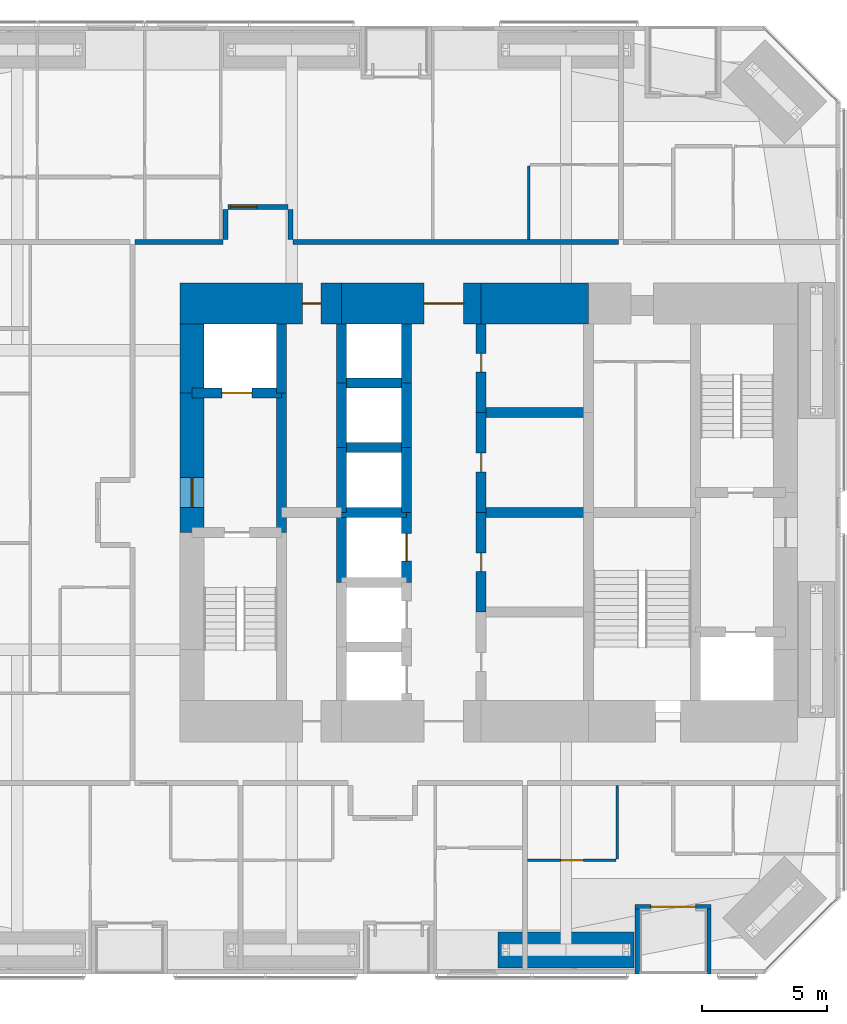
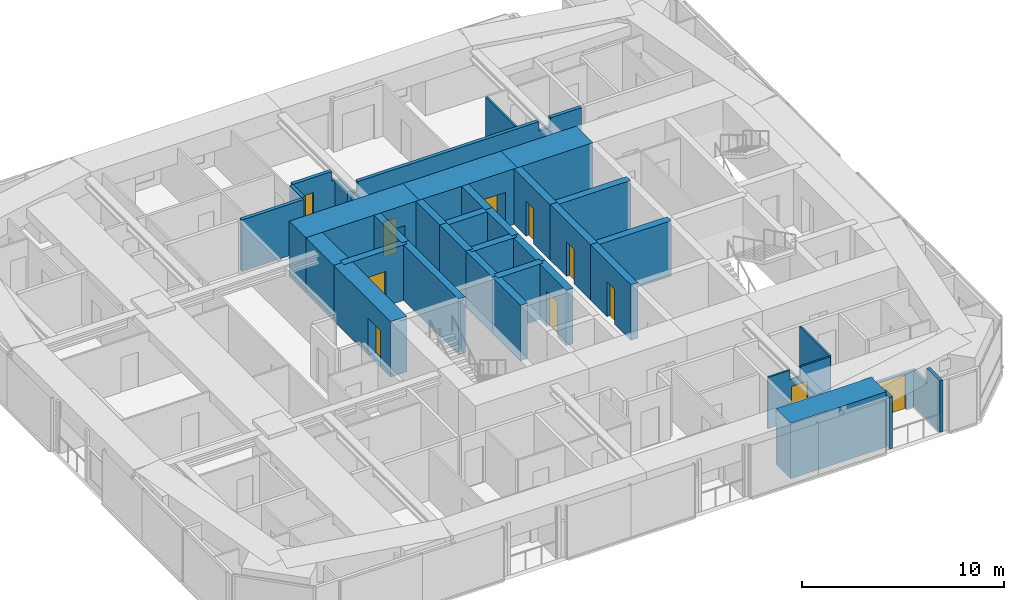
# One storey, part 19 of 23: 37 walls, 11 doors, 11 openings.
"""IFC4 building model written with IfcOpenShell, lengths in metres."""

import ifcopenshell
import ifcopenshell.guid

model = None  # the IFC model being written
_history = None  # IfcOwnerHistory: only IFC2X3 demands one
_inside = {}  # id of a spatial element -> (the spatial element, [elements in it])
_under = {}  # id of a project, library or spatial element -> (it, [spatial elements below it])
_declared = {}  # id of a project -> (the project, [libraries it declares])
_typed = {}  # id of a type object -> (the type object, [elements of that type])
_made_of = {}  # id of a material, layer set ... -> (it, [elements and type objects made of it])


def new_model(schema):
    """Start an empty IFC model of exactly this schema.

    Asked for "IFC4X3", IfcOpenShell would pick the latest addendum, in which some entities
    have other attributes; the version numbers below select the first issue.
    IFC2X3 requires an IfcOwnerHistory on every rooted entity: one is made here for all.
    """
    global model, _history
    if schema == "IFC4X3":
        model = ifcopenshell.file(schema_version=(4, 3, 0, 0))
    else:
        model = ifcopenshell.file(schema=schema)
    _inside.clear()
    _under.clear()
    _declared.clear()
    _typed.clear()
    _made_of.clear()
    _history = None
    if model.schema == "IFC2X3":
        org = make("IfcOrganization", Name="unknown")
        user = make(
            "IfcPersonAndOrganization",
            ThePerson=make("IfcPerson", FamilyName="unknown"),
            TheOrganization=org,
        )
        app = make(
            "IfcApplication",
            ApplicationDeveloper=org,
            Version="unknown",
            ApplicationFullName="unknown",
            ApplicationIdentifier="unknown",
        )
        _history = make(
            "IfcOwnerHistory",
            OwningUser=user,
            OwningApplication=app,
            ChangeAction="ADDED",
            CreationDate=0,
        )
    return model


def make(cls, **values):
    """One entity of the class cls with the attributes given. An attribute that is None is left unset."""
    return model.create_entity(
        cls, **{name: value for name, value in values.items() if value is not None}
    )


def rooted(cls, **values):
    """An entity with a GlobalId (a new one), such as an element, a storey or a relation."""
    return make(cls, GlobalId=ifcopenshell.guid.new(), OwnerHistory=_history, **values)


def si_unit(unit_type, name, prefix=None):
    """IfcSIUnit, for example si_unit("LENGTHUNIT", "METRE", prefix="MILLI")."""
    return make("IfcSIUnit", UnitType=unit_type, Prefix=prefix, Name=name)


def assignment(units):
    """IfcUnitAssignment: the units of a project."""
    return None if units is None else make("IfcUnitAssignment", Units=units)


def point(xyz):
    """IfcCartesianPoint."""
    return None if xyz is None else make("IfcCartesianPoint", Coordinates=xyz)


def direction(xyz):
    """IfcDirection."""
    return None if xyz is None else make("IfcDirection", DirectionRatios=xyz)


def frame(location, z_axis=None, x_axis=None):
    """IfcAxis2Placement3D, a coordinate frame: its origin and axes. An axis left out is left unset."""
    return make(
        "IfcAxis2Placement3D",
        Location=point(location),
        Axis=direction(z_axis),
        RefDirection=direction(x_axis),
    )


def frame_2d(location, x_axis=None):
    """IfcAxis2Placement2D, a coordinate frame in the plane: its origin and x axis."""
    return make(
        "IfcAxis2Placement2D", Location=point(location), RefDirection=direction(x_axis)
    )


def origin():
    """The frame at (0, 0, 0) with its axes left unset."""
    return frame((0.0, 0.0, 0.0))


def place(relative_to, where):
    """IfcLocalPlacement: puts the frame where relative to a parent placement (None: the world)."""
    return make(
        "IfcLocalPlacement", PlacementRelTo=relative_to, RelativePlacement=where
    )


def context(
    kind, dimensions, precision=None, world=None, true_north=None, identifier=None
):
    """IfcGeometricRepresentationContext, for example the 3D "Model" context."""
    return make(
        "IfcGeometricRepresentationContext",
        ContextIdentifier=identifier,
        ContextType=kind,
        CoordinateSpaceDimension=dimensions,
        Precision=precision,
        WorldCoordinateSystem=world,
        TrueNorth=true_north,
    )


def subcontext(parent, identifier, kind, view, scale=None):
    """IfcGeometricRepresentationSubContext, for example "Body" below "Model"."""
    return make(
        "IfcGeometricRepresentationSubContext",
        ContextIdentifier=identifier,
        ContextType=kind,
        ParentContext=parent,
        TargetScale=scale,
        TargetView=view,
    )


def project(units=None, contexts=None):
    """IfcProject with its units and contexts."""
    return rooted(
        "IfcProject",
        Name="project",
        RepresentationContexts=contexts,
        UnitsInContext=assignment(units),
    )


def spatial(cls, under=None, at=None, **own):
    """A site, building, storey or space (cls), placed at a placement, below another one or the project."""
    s = rooted(cls, ObjectPlacement=at, **own)
    if under is not None:
        _under.setdefault(under.id(), (under, []))[1].append(s)
    return s


def polyline(points):
    """IfcPolyline through the points."""
    return make("IfcPolyline", Points=[point(p) for p in points])


def profile(cls, at=None, kind="AREA", **sizes):
    """A parametric profile (cls). Its sizes go by their IFC names, for example OverallWidth=200.0."""
    return make(cls, ProfileType=kind, Position=at, **sizes)


def rectangle(**sizes):
    """IfcRectangleProfileDef."""
    return profile("IfcRectangleProfileDef", **sizes)


def outline(outer, holes=None, kind="AREA"):
    """IfcArbitraryClosedProfileDef: a profile drawn as a closed curve; with holes, ...WithVoids."""
    if holes is None:
        return make("IfcArbitraryClosedProfileDef", ProfileType=kind, OuterCurve=outer)
    return make(
        "IfcArbitraryProfileDefWithVoids",
        ProfileType=kind,
        OuterCurve=outer,
        InnerCurves=holes,
    )


def extrude(swept, where, along, depth):
    """IfcExtrudedAreaSolid: the profile swept, set in the frame where, extruded along a direction by depth."""
    return make(
        "IfcExtrudedAreaSolid",
        SweptArea=swept,
        Position=where,
        ExtrudedDirection=direction(along),
        Depth=depth,
    )


def shape(context_of_items, identifier, shape_type, items):
    """IfcShapeRepresentation: the items that make up one representation, for example the "Body"."""
    return make(
        "IfcShapeRepresentation",
        ContextOfItems=context_of_items,
        RepresentationIdentifier=identifier,
        RepresentationType=shape_type,
        Items=items,
    )


def material(Name=None, Category=None):
    """IfcMaterial."""
    return make("IfcMaterial", Name=Name, Category=Category)


def layer(
    of_material, thickness, ventilated=None, Name=None, Category=None, Priority=None
):
    """IfcMaterialLayer: one layer of a wall or slab, of a material (None: an air gap)."""
    return make(
        "IfcMaterialLayer",
        Material=of_material,
        LayerThickness=thickness,
        IsVentilated=ventilated,
        Name=Name,
        Category=Category,
        Priority=Priority,
    )


def layer_set(layers, Name=None):
    """IfcMaterialLayerSet."""
    return make("IfcMaterialLayerSet", MaterialLayers=layers, LayerSetName=Name)


def constituent(of_material, Name=None, Category=None, fraction=None):
    """IfcMaterialConstituent: one of the materials an element consists of."""
    return make(
        "IfcMaterialConstituent",
        Name=Name,
        Material=of_material,
        Fraction=fraction,
        Category=Category,
    )


def constituent_set(constituents=None, Name=None):
    """IfcMaterialConstituentSet."""
    return make(
        "IfcMaterialConstituentSet", Name=Name, MaterialConstituents=constituents
    )


def made_of(thing, what):
    """Note that an element or type object is made of a material, layer set ...; save() writes the relation."""
    if what is not None:
        _made_of.setdefault(what.id(), (what, []))[1].append(thing)
    return thing


def type_object(cls, material=None, **own):
    """A type object (cls), such as IfcWallType, which elements share."""
    return made_of(rooted(cls, **own), material)


def element(
    cls,
    number,
    at=None,
    inside=None,
    cuts=None,
    type_object=None,
    material=None,
    context=None,
    identifier="Body",
    shape_type=None,
    held_by="IfcProductDefinitionShape",
    body=None,
    shapes=None,
    **own,
):
    """One element of the class cls, such as IfcWall. Its Tag is "e" and its number.

    at: its placement. inside: the storey or other place that contains it. cuts: it is an
    opening in that element (IfcRelVoidsElement). A single representation is given by context,
    identifier, shape_type and body (its items); several are given by shapes. held_by: the class
    of the entity that holds the representations. save() writes the other relations.
    """
    e = rooted(cls, Tag="e%d" % number, ObjectPlacement=at, **own)
    if body is not None:
        shapes = [shape(context, identifier, shape_type, body)]
    if shapes is not None:
        e.Representation = make(held_by, Representations=shapes)
    if inside is not None:
        _inside.setdefault(inside.id(), (inside, []))[1].append(e)
    if cuts is not None:
        rooted(
            "IfcRelVoidsElement", RelatingBuildingElement=cuts, RelatedOpeningElement=e
        )
    if type_object is not None:
        _typed.setdefault(type_object.id(), (type_object, []))[1].append(e)
    return made_of(e, material)


def fill(opening, filler):
    """IfcRelFillsElement: the door or window that sits in an opening."""
    return rooted(
        "IfcRelFillsElement",
        RelatingOpeningElement=opening,
        RelatedBuildingElement=filler,
    )


def aggregate(whole, parts):
    """IfcRelAggregates: a whole, such as a stair, and the parts it consists of."""
    return rooted("IfcRelAggregates", RelatingObject=whole, RelatedObjects=parts)


def save(model, path):
    """Write the relations noted so far, then the file.

    IfcRelAggregates (storeys below a building ...), IfcRelContainedInSpatialStructure (elements
    in a storey), IfcRelDefinesByType, IfcRelAssociatesMaterial and IfcRelDeclares: one each for
    every whole, place, type object, material and project.
    """
    for whole, parts in _under.values():
        aggregate(whole, parts)
    for where, things in _inside.values():
        rooted(
            "IfcRelContainedInSpatialStructure",
            RelatedElements=things,
            RelatingStructure=where,
        )
    for kind, things in _typed.values():
        rooted("IfcRelDefinesByType", RelatedObjects=things, RelatingType=kind)
    for what, things in _made_of.values():
        rooted("IfcRelAssociatesMaterial", RelatedObjects=things, RelatingMaterial=what)
    for by, libraries in _declared.values():
        rooted("IfcRelDeclares", RelatingContext=by, RelatedDefinitions=libraries)
    model.write(path)


model = new_model("IFC4")

# Units and contexts
model_context = context("Model", 3, precision=1e-05, world=origin(), true_north=direction((0.0, 1.0)))
body_context = subcontext(model_context, "Body", "Model", "MODEL_VIEW")
ifc_project = project(units=[si_unit("LENGTHUNIT", "METRE"), si_unit("AREAUNIT", "SQUARE_METRE"), si_unit("VOLUMEUNIT", "CUBIC_METRE"), si_unit("PLANEANGLEUNIT", "RADIAN"), si_unit("MASSUNIT", "GRAM", prefix="KILO")], contexts=[model_context])

# Site, building, storey
site_placement = place(None, origin())
site = spatial("IfcSite", under=ifc_project, at=site_placement, CompositionType="ELEMENT")
building_placement = place(site_placement, origin())
building = spatial("IfcBuilding", under=site, at=building_placement, Name="Jalousie Tower", CompositionType="ELEMENT")
storey_placement = place(building_placement, frame((0.0, 0.0, 24.35009765625)))
storey = spatial("IfcBuildingStorey", under=building, at=storey_placement, Name="L05", CompositionType="ELEMENT", Elevation=24.35009765625)

# Wall
ifc_material_1 = material(Name="Concrete f'c 120 MPa", Category="concrete")
ifc_layer_1 = layer(ifc_material_1, 1.64990234375)
ifc_layer_set_1 = layer_set([ifc_layer_1], Name="Concrete f'c 120 MPa")
wall_type_1 = type_object("IfcWallType", Name="CORE WALL 1650", PredefinedType="SHEAR", material=ifc_layer_set_1)
wall_1_placement = place(storey_placement, frame((35.89990234375, 26.875, 0.0), z_axis=(0.0, 0.0, 1.0), x_axis=(-1.0, 0.0, 0.0)))
element("IfcWall", 1, at=wall_1_placement, inside=storey, type_object=wall_type_1, Name="Core wall NB L05", PredefinedType="SHEAR", context=body_context, shape_type="SweptSolid", body=[
    extrude(rectangle(XDim=4.2998046875, YDim=1.64990234375, at=frame_2d((2.14990234375, 0.0))), origin(), (0.0, 0.0, 1.0), 3.349853515625),
])

# Wall, opening, door
wall_2_placement = place(storey_placement, frame((31.60009765625, 26.875, 0.0), z_axis=(0.0, 0.0, 1.0), x_axis=(-1.0, 0.0, 0.0)))
wall_2 = element("IfcWall", 2, at=wall_2_placement, inside=storey, type_object=wall_type_1, Name="Core wall NC L05", PredefinedType="SHEAR", context=body_context, shape_type="SweptSolid", body=[
    extrude(rectangle(XDim=5.60009765625, YDim=1.64990234375, at=frame_2d((2.800048828125, 0.0))), origin(), (0.0, 0.0, 1.0), 3.349853515625),
])
opening_1_placement = place(wall_2_placement, frame((0.699951171875, 0.0, 0.0)))
opening_1 = element("IfcOpeningElement", 3, at=opening_1_placement, cuts=wall_2, Name="Opening D15", PredefinedType="OPENING", context=body_context, shape_type="SweptSolid", body=[
    extrude(rectangle(XDim=1.60009765625, YDim=2.10009765625, at=frame_2d((0.800048828125, 1.050048828125))), frame((0.0, 0.8349609375, 0.0), z_axis=(0.0, -1.0, 0.0), x_axis=(1.0, 0.0, 0.0)), (0.0, 0.0, 1.0), 1.669921875),
])
ifc_material_2 = material(Name="Steel fire door", Category="steel")
door_type_1 = type_object("IfcDoorType", Name="LIFT LOBBY DOOR 1600", OperationType="DOUBLE_DOOR_SINGLE_SWING", PredefinedType="DOOR", material=ifc_material_2)
door_1_placement = place(opening_1_placement, origin())
door_1 = element("IfcDoor", 4, at=door_1_placement, inside=storey, type_object=door_type_1, Name="Lift lobby north door", OperationType="DOUBLE_DOOR_SINGLE_SWING", OverallHeight=2.10009765625, OverallWidth=1.60009765625, PredefinedType="DOOR", context=body_context, shape_type="SweptSolid", body=[
    extrude(rectangle(XDim=1.60009765625, YDim=2.10009765625, at=frame_2d((0.800048828125, 1.050048828125))), frame((0.0, 0.02490234375, 0.0), z_axis=(0.0, -1.0, 0.0), x_axis=(1.0, 0.0, 0.0)), (0.0, 0.0, 1.0), 0.050048828125),
])
fill(opening_1, door_1)

wall_3_placement = place(storey_placement, frame((26.0, 26.875, 0.0), z_axis=(0.0, 0.0, 1.0), x_axis=(-1.0, 0.0, 0.0)))
wall_3 = element("IfcWall", 5, at=wall_3_placement, inside=storey, type_object=wall_type_1, Name="Core wall ND L05", PredefinedType="SHEAR", context=body_context, shape_type="SweptSolid", body=[
    extrude(rectangle(XDim=6.47509765625, YDim=1.64990234375, at=frame_2d((3.237548828125, 0.0))), origin(), (0.0, 0.0, 1.0), 3.349853515625),
])
opening_2_placement = place(wall_3_placement, frame((0.824951171875, 0.0, 0.0)))
opening_2 = element("IfcOpeningElement", 6, at=opening_2_placement, cuts=wall_3, Name="Opening D16", PredefinedType="OPENING", context=body_context, shape_type="SweptSolid", body=[
    extrude(rectangle(XDim=0.75, YDim=2.10009765625, at=frame_2d((0.375, 1.050048828125))), frame((0.0, 0.8349609375, 0.0), z_axis=(0.0, -1.0, 0.0), x_axis=(1.0, 0.0, 0.0)), (0.0, 0.0, 1.0), 1.669921875),
])
ifc_material_3 = material(Name="Steel fire door", Category="steel")
door_type_2 = type_object("IfcDoorType", Name="RISER DOOR 750", OperationType="SINGLE_SWING_LEFT", PredefinedType="DOOR", material=ifc_material_3)
door_2_placement = place(opening_2_placement, origin())
door_2 = element("IfcDoor", 7, at=door_2_placement, inside=storey, type_object=door_type_2, Name="North riser door", OperationType="SINGLE_SWING_RIGHT", OverallHeight=2.10009765625, OverallWidth=0.75, PredefinedType="DOOR", context=body_context, shape_type="SweptSolid", body=[
    extrude(rectangle(XDim=0.75, YDim=2.10009765625, at=frame_2d((0.375, 1.050048828125))), frame((0.0, 0.02490234375, 0.0), z_axis=(0.0, -1.0, 0.0), x_axis=(1.0, 0.0, 0.0)), (0.0, 0.0, 1.0), 0.050048828125),
])
fill(opening_2, door_2)

# Walls
ifc_material_4 = material(Name="Concrete f'c 120 MPa", Category="concrete")
ifc_layer_2 = layer(ifc_material_4, 0.39990234375)
ifc_layer_set_2 = layer_set([ifc_layer_2], Name="Concrete f'c 120 MPa")
wall_type_2 = type_object("IfcWallType", Name="CORE WALL 400", PredefinedType="SHEAR", material=ifc_layer_set_2)
wall_4_placement = place(storey_placement, frame((23.60009765625, 17.699951171875, 0.0), z_axis=(0.0, 0.0, 1.0), x_axis=(0.0, 1.0, 0.0)))
element("IfcWall", 8, at=wall_4_placement, inside=storey, type_object=wall_type_2, Name="Core wall X23.6B L05", PredefinedType="SHEAR", context=body_context, shape_type="SweptSolid", body=[
    extrude(rectangle(XDim=5.60009765625, YDim=0.39990234375, at=frame_2d((2.800048828125, 0.0))), origin(), (0.0, 0.0, 1.0), 3.349853515625),
])
wall_5_placement = place(storey_placement, frame((23.60009765625, 23.300048828125, 0.0), z_axis=(0.0, 0.0, 1.0), x_axis=(0.0, 1.0, 0.0)))
element("IfcWall", 9, at=wall_5_placement, inside=storey, type_object=wall_type_2, Name="Core wall X23.6C L05", PredefinedType="SHEAR", context=body_context, shape_type="SweptSolid", body=[
    extrude(rectangle(XDim=2.75, YDim=0.39990234375, at=frame_2d((1.375, 0.0))), origin(), (0.0, 0.0, 1.0), 3.349853515625),
])
wall_6_placement = place(storey_placement, frame((26.0, 15.699951171875, 0.0), z_axis=(0.0, 0.0, 1.0), x_axis=(0.0, 1.0, 0.0)))
element("IfcWall", 10, at=wall_6_placement, inside=storey, type_object=wall_type_2, Name="Core wall X26C L05", PredefinedType="SHEAR", context=body_context, shape_type="SweptSolid", body=[
    extrude(rectangle(XDim=2.800048828125, YDim=0.39990234375, at=frame_2d((1.39990234375, 0.0))), origin(), (0.0, 0.0, 1.0), 3.349853515625),
])
wall_7_placement = place(storey_placement, frame((26.0, 18.5, 0.0), z_axis=(0.0, 0.0, 1.0), x_axis=(0.0, 1.0, 0.0)))
element("IfcWall", 11, at=wall_7_placement, inside=storey, type_object=wall_type_2, Name="Core wall X26D L05", PredefinedType="SHEAR", context=body_context, shape_type="SweptSolid", body=[
    extrude(rectangle(XDim=2.60009765625, YDim=0.39990234375, at=frame_2d((1.300048828125, 0.0))), origin(), (0.0, 0.0, 1.0), 3.349853515625),
])
wall_8_placement = place(storey_placement, frame((26.0, 21.10009765625, 0.0), z_axis=(0.0, 0.0, 1.0), x_axis=(0.0, 1.0, 0.0)))
element("IfcWall", 12, at=wall_8_placement, inside=storey, type_object=wall_type_2, Name="Core wall X26E L05", PredefinedType="SHEAR", context=body_context, shape_type="SweptSolid", body=[
    extrude(rectangle(XDim=2.599853515625, YDim=0.39990234375, at=frame_2d((1.2998046875, 0.0))), origin(), (0.0, 0.0, 1.0), 3.349853515625),
])
wall_9_placement = place(storey_placement, frame((26.0, 23.699951171875, 0.0), z_axis=(0.0, 0.0, 1.0), x_axis=(0.0, 1.0, 0.0)))
element("IfcWall", 13, at=wall_9_placement, inside=storey, type_object=wall_type_2, Name="Core wall X26F L05", PredefinedType="SHEAR", context=body_context, shape_type="SweptSolid", body=[
    extrude(rectangle(XDim=2.35009765625, YDim=0.39990234375, at=frame_2d((1.175048828125, 0.0))), origin(), (0.0, 0.0, 1.0), 3.349853515625),
])

# Wall, opening, door
wall_10_placement = place(storey_placement, frame((28.60009765625, 15.699951171875, 0.0), z_axis=(0.0, 0.0, 1.0), x_axis=(0.0, 1.0, 0.0)))
wall_10 = element("IfcWall", 14, at=wall_10_placement, inside=storey, type_object=wall_type_2, Name="Core wall X28.6C L05", PredefinedType="SHEAR", context=body_context, shape_type="SweptSolid", body=[
    extrude(rectangle(XDim=2.800048828125, YDim=0.39990234375, at=frame_2d((1.39990234375, 0.0))), origin(), (0.0, 0.0, 1.0), 3.349853515625),
])
opening_3_placement = place(wall_10_placement, frame((0.85009765625, 0.0, 0.0)))
opening_3 = element("IfcOpeningElement", 15, at=opening_3_placement, cuts=wall_10, Name="Opening LD1", PredefinedType="OPENING", context=body_context, shape_type="SweptSolid", body=[
    extrude(rectangle(XDim=1.10009765625, YDim=2.10009765625, at=frame_2d((0.550048828125, 1.050048828125))), frame((0.0, 0.2099609375, 0.0), z_axis=(0.0, -1.0, 0.0), x_axis=(1.0, 0.0, 0.0)), (0.0, 0.0, 1.0), 0.419921875),
])
ifc_material_5 = material(Name="Steel lift landing door", Category="steel")
door_type_3 = type_object("IfcDoorType", Name="LIFT LANDING DOOR 1100", OperationType="SLIDING_TO_LEFT", PredefinedType="DOOR", material=ifc_material_5)
door_3_placement = place(opening_3_placement, origin())
door_3 = element("IfcDoor", 16, at=door_3_placement, inside=storey, type_object=door_type_3, Name="Lift P3 landing door", OperationType="SLIDING_TO_LEFT", OverallHeight=2.10009765625, OverallWidth=1.10009765625, PredefinedType="DOOR", context=body_context, shape_type="SweptSolid", body=[
    extrude(rectangle(XDim=1.10009765625, YDim=2.10009765625, at=frame_2d((0.550048828125, 1.050048828125))), frame((0.0, 0.02490234375, 0.0), z_axis=(0.0, -1.0, 0.0), x_axis=(1.0, 0.0, 0.0)), (0.0, 0.0, 1.0), 0.050048828125),
])
fill(opening_3, door_3)

# Walls
wall_11_placement = place(storey_placement, frame((28.60009765625, 18.5, 0.0), z_axis=(0.0, 0.0, 1.0), x_axis=(0.0, 1.0, 0.0)))
element("IfcWall", 17, at=wall_11_placement, inside=storey, type_object=wall_type_2, Name="Core wall X28.6D L05", PredefinedType="SHEAR", context=body_context, shape_type="SweptSolid", body=[
    extrude(rectangle(XDim=2.60009765625, YDim=0.39990234375, at=frame_2d((1.300048828125, 0.0))), origin(), (0.0, 0.0, 1.0), 3.349853515625),
])
wall_12_placement = place(storey_placement, frame((28.60009765625, 21.10009765625, 0.0), z_axis=(0.0, 0.0, 1.0), x_axis=(0.0, 1.0, 0.0)))
element("IfcWall", 18, at=wall_12_placement, inside=storey, type_object=wall_type_2, Name="Core wall X28.6E L05", PredefinedType="SHEAR", context=body_context, shape_type="SweptSolid", body=[
    extrude(rectangle(XDim=2.599853515625, YDim=0.39990234375, at=frame_2d((1.2998046875, 0.0))), origin(), (0.0, 0.0, 1.0), 3.349853515625),
])
wall_13_placement = place(storey_placement, frame((28.60009765625, 23.699951171875, 0.0), z_axis=(0.0, 0.0, 1.0), x_axis=(0.0, 1.0, 0.0)))
element("IfcWall", 19, at=wall_13_placement, inside=storey, type_object=wall_type_2, Name="Core wall X28.6F L05", PredefinedType="SHEAR", context=body_context, shape_type="SweptSolid", body=[
    extrude(rectangle(XDim=2.35009765625, YDim=0.39990234375, at=frame_2d((1.175048828125, 0.0))), origin(), (0.0, 0.0, 1.0), 3.349853515625),
])

# Wall, opening, door
wall_14_placement = place(storey_placement, frame((31.60009765625, 14.5, 0.0), z_axis=(0.0, 0.0, 1.0), x_axis=(0.0, 1.0, 0.0)))
wall_14 = element("IfcWall", 20, at=wall_14_placement, inside=storey, type_object=wall_type_2, Name="Core wall X31.6B L05", PredefinedType="SHEAR", context=body_context, shape_type="SweptSolid", body=[
    extrude(rectangle(XDim=4.0, YDim=0.39990234375, at=frame_2d((2.0, 0.0))), origin(), (0.0, 0.0, 1.0), 3.349853515625),
])
opening_4_placement = place(wall_14_placement, frame((1.625, 0.0, 0.0)))
opening_4 = element("IfcOpeningElement", 21, at=opening_4_placement, cuts=wall_14, Name="Opening D16", PredefinedType="OPENING", context=body_context, shape_type="SweptSolid", body=[
    extrude(rectangle(XDim=0.75, YDim=2.10009765625, at=frame_2d((0.375, 1.050048828125))), frame((0.0, 0.2099609375, 0.0), z_axis=(0.0, -1.0, 0.0), x_axis=(1.0, 0.0, 0.0)), (0.0, 0.0, 1.0), 0.419921875),
])
door_4_placement = place(opening_4_placement, frame((0.75, 0.0, 0.0), z_axis=(0.0, 0.0, 1.0), x_axis=(-1.0, 0.0, 0.0)))
door_4 = element("IfcDoor", 22, at=door_4_placement, inside=storey, type_object=door_type_2, Name="Electrical Room door", OperationType="SINGLE_SWING_LEFT", OverallHeight=2.10009765625, OverallWidth=0.75, PredefinedType="DOOR", context=body_context, shape_type="SweptSolid", body=[
    extrude(rectangle(XDim=0.75, YDim=2.10009765625, at=frame_2d((0.375, 1.050048828125))), frame((0.0, 0.02490234375, 0.0), z_axis=(0.0, -1.0, 0.0), x_axis=(1.0, 0.0, 0.0)), (0.0, 0.0, 1.0), 0.050048828125),
])
fill(opening_4, door_4)

wall_15_placement = place(storey_placement, frame((31.60009765625, 18.5, 0.0), z_axis=(0.0, 0.0, 1.0), x_axis=(0.0, 1.0, 0.0)))
wall_15 = element("IfcWall", 23, at=wall_15_placement, inside=storey, type_object=wall_type_2, Name="Core wall X31.6C L05", PredefinedType="SHEAR", context=body_context, shape_type="SweptSolid", body=[
    extrude(rectangle(XDim=4.0, YDim=0.39990234375, at=frame_2d((2.0, 0.0))), origin(), (0.0, 0.0, 1.0), 3.349853515625),
])
opening_5_placement = place(wall_15_placement, frame((1.625, 0.0, 0.0)))
opening_5 = element("IfcOpeningElement", 24, at=opening_5_placement, cuts=wall_15, Name="Opening D16", PredefinedType="OPENING", context=body_context, shape_type="SweptSolid", body=[
    extrude(rectangle(XDim=0.75, YDim=2.10009765625, at=frame_2d((0.375, 1.050048828125))), frame((0.0, 0.2099609375, 0.0), z_axis=(0.0, -1.0, 0.0), x_axis=(1.0, 0.0, 0.0)), (0.0, 0.0, 1.0), 0.419921875),
])
door_5_placement = place(opening_5_placement, frame((0.75, 0.0, 0.0), z_axis=(0.0, 0.0, 1.0), x_axis=(-1.0, 0.0, 0.0)))
door_5 = element("IfcDoor", 25, at=door_5_placement, inside=storey, type_object=door_type_2, Name="Telecom Room door", OperationType="SINGLE_SWING_LEFT", OverallHeight=2.10009765625, OverallWidth=0.75, PredefinedType="DOOR", context=body_context, shape_type="SweptSolid", body=[
    extrude(rectangle(XDim=0.75, YDim=2.10009765625, at=frame_2d((0.375, 1.050048828125))), frame((0.0, 0.02490234375, 0.0), z_axis=(0.0, -1.0, 0.0), x_axis=(1.0, 0.0, 0.0)), (0.0, 0.0, 1.0), 0.050048828125),
])
fill(opening_5, door_5)

wall_16_placement = place(storey_placement, frame((31.60009765625, 22.5, 0.0), z_axis=(0.0, 0.0, 1.0), x_axis=(0.0, 1.0, 0.0)))
wall_16 = element("IfcWall", 26, at=wall_16_placement, inside=storey, type_object=wall_type_2, Name="Core wall X31.6D L05", PredefinedType="SHEAR", context=body_context, shape_type="SweptSolid", body=[
    extrude(rectangle(XDim=3.550048828125, YDim=0.39990234375, at=frame_2d((1.77490234375, 0.0))), origin(), (0.0, 0.0, 1.0), 3.349853515625),
])
opening_6_placement = place(wall_16_placement, frame((1.625, 0.0, 0.0)))
opening_6 = element("IfcOpeningElement", 27, at=opening_6_placement, cuts=wall_16, Name="Opening D16", PredefinedType="OPENING", context=body_context, shape_type="SweptSolid", body=[
    extrude(rectangle(XDim=0.75, YDim=2.10009765625, at=frame_2d((0.375, 1.050048828125))), frame((0.0, 0.2099609375, 0.0), z_axis=(0.0, -1.0, 0.0), x_axis=(1.0, 0.0, 0.0)), (0.0, 0.0, 1.0), 0.419921875),
])
door_6_placement = place(opening_6_placement, frame((0.75, 0.0, 0.0), z_axis=(0.0, 0.0, 1.0), x_axis=(-1.0, 0.0, 0.0)))
door_6 = element("IfcDoor", 28, at=door_6_placement, inside=storey, type_object=door_type_2, Name="Water Services Room door", OperationType="SINGLE_SWING_LEFT", OverallHeight=2.10009765625, OverallWidth=0.75, PredefinedType="DOOR", context=body_context, shape_type="SweptSolid", body=[
    extrude(rectangle(XDim=0.75, YDim=2.10009765625, at=frame_2d((0.375, 1.050048828125))), frame((0.0, 0.02490234375, 0.0), z_axis=(0.0, -1.0, 0.0), x_axis=(1.0, 0.0, 0.0)), (0.0, 0.0, 1.0), 0.050048828125),
])
fill(opening_6, door_6)

wall_17_placement = place(storey_placement, frame((20.0, 23.300048828125, 0.0), z_axis=(0.0, 0.0, 1.0), x_axis=(1.0, 0.0, 0.0)))
wall_17 = element("IfcWall", 29, at=wall_17_placement, inside=storey, type_object=wall_type_2, Name="Core wall Y20-23.3 L05", PredefinedType="SHEAR", context=body_context, shape_type="SweptSolid", body=[
    extrude(rectangle(XDim=3.60009765625, YDim=0.39990234375, at=frame_2d((1.800048828125, 0.0))), origin(), (0.0, 0.0, 1.0), 3.349853515625),
])
opening_7_placement = place(wall_17_placement, frame((1.199951171875, 0.0, 0.0)))
opening_7 = element("IfcOpeningElement", 30, at=opening_7_placement, cuts=wall_17, Name="Opening LD2", PredefinedType="OPENING", context=body_context, shape_type="SweptSolid", body=[
    extrude(rectangle(XDim=1.199951171875, YDim=2.10009765625, at=frame_2d((0.60009765625, 1.050048828125))), frame((0.0, 0.2099609375, 0.0), z_axis=(0.0, -1.0, 0.0), x_axis=(1.0, 0.0, 0.0)), (0.0, 0.0, 1.0), 0.419921875),
])
ifc_material_6 = material(Name="Steel lift landing door", Category="steel")
door_type_4 = type_object("IfcDoorType", Name="LIFT LANDING DOOR 1200", OperationType="SLIDING_TO_LEFT", PredefinedType="DOOR", material=ifc_material_6)
door_7_placement = place(opening_7_placement, origin())
door_7 = element("IfcDoor", 31, at=door_7_placement, inside=storey, type_object=door_type_4, Name="Lift F1 landing door", OperationType="SLIDING_TO_LEFT", OverallHeight=2.10009765625, OverallWidth=1.199951171875, PredefinedType="DOOR", context=body_context, shape_type="SweptSolid", body=[
    extrude(rectangle(XDim=1.199951171875, YDim=2.10009765625, at=frame_2d((0.60009765625, 1.050048828125))), frame((0.0, 0.02490234375, 0.0), z_axis=(0.0, -1.0, 0.0), x_axis=(1.0, 0.0, 0.0)), (0.0, 0.0, 1.0), 0.050048828125),
])
fill(opening_7, door_7)

# Walls
for number, where, z_axis, x_axis, name in (
    (32, (26.0, 18.5, 0.0), (0.0, 0.0, 1.0), (1.0, 0.0, 0.0), "Core wall Y26-18.5 L05"),
    (33, (26.0, 21.10009765625, 0.0), (0.0, 0.0, 1.0), (1.0, 0.0, 0.0), "Core wall Y26-21.1 L05"),
    (34, (26.0, 23.699951171875, 0.0), (0.0, 0.0, 1.0), (1.0, 0.0, 0.0), "Core wall Y26-23.7 L05"),
):
    element("IfcWall", number, at=place(storey_placement, frame(where, z_axis=z_axis, x_axis=x_axis)), inside=storey, type_object=wall_type_2, Name=name, PredefinedType="SHEAR", context=body_context, shape_type="SweptSolid", body=[
        extrude(rectangle(XDim=2.60009765625, YDim=0.39990234375, at=frame_2d((1.300048828125, 0.0))), origin(), (0.0, 0.0, 1.0), 3.349853515625),
    ])
for number, where, z_axis, x_axis, name in (
    (35, (31.60009765625, 18.5, 0.0), (0.0, 0.0, 1.0), (1.0, 0.0, 0.0), "Core wall Y31.6-18.5 L05"),
    (36, (31.60009765625, 22.5, 0.0), (0.0, 0.0, 1.0), (1.0, 0.0, 0.0), "Core wall Y31.6-22.5 L05"),
):
    element("IfcWall", number, at=place(storey_placement, frame(where, z_axis=z_axis, x_axis=x_axis)), inside=storey, type_object=wall_type_2, Name=name, PredefinedType="SHEAR", context=body_context, shape_type="SweptSolid", body=[
        extrude(rectangle(XDim=4.2998046875, YDim=0.39990234375, at=frame_2d((2.14990234375, 0.0))), origin(), (0.0, 0.0, 1.0), 3.349853515625),
    ])
ifc_material_7 = material(Name="Concrete f'c 120 MPa", Category="concrete")
ifc_layer_3 = layer(ifc_material_7, 0.949951171875)
ifc_layer_set_3 = layer_set([ifc_layer_3], Name="Concrete f'c 120 MPa")
wall_type_3 = type_object("IfcWallType", Name="CORE WALL 950", PredefinedType="SHEAR", material=ifc_layer_set_3)
wall_18_placement = place(storey_placement, frame((20.0, 26.050048828125, 0.0), z_axis=(0.0, 0.0, 1.0), x_axis=(0.0, -1.0, 0.0)))
element("IfcWall", 37, at=wall_18_placement, inside=storey, type_object=wall_type_3, Name="Core wall WA L05", PredefinedType="SHEAR", context=body_context, shape_type="SweptSolid", body=[
    extrude(rectangle(XDim=2.75, YDim=0.949951171875, at=frame_2d((1.375, 0.0))), origin(), (0.0, 0.0, 1.0), 3.349853515625),
])

# Wall, opening, door
wall_19_placement = place(storey_placement, frame((20.0, 23.300048828125, 0.0), z_axis=(0.0, 0.0, 1.0), x_axis=(0.0, -1.0, 0.0)))
wall_19 = element("IfcWall", 38, at=wall_19_placement, inside=storey, type_object=wall_type_3, Name="Core wall WB L05", PredefinedType="SHEAR", context=body_context, shape_type="SweptSolid", body=[
    extrude(rectangle(XDim=5.60009765625, YDim=0.949951171875, at=frame_2d((2.800048828125, 0.0))), origin(), (0.0, 0.0, 1.0), 3.349853515625),
])
opening_8_placement = place(wall_19_placement, frame((3.39990234375, 0.0, 0.0)))
opening_8 = element("IfcOpeningElement", 39, at=opening_8_placement, cuts=wall_19, Name="Opening D11", PredefinedType="OPENING", context=body_context, shape_type="SweptSolid", body=[
    extrude(rectangle(XDim=1.199951171875, YDim=2.199951171875, at=frame_2d((0.60009765625, 1.10009765625))), frame((0.0, 0.48486328125, 0.0), z_axis=(0.0, -1.0, 0.0), x_axis=(1.0, 0.0, 0.0)), (0.0, 0.0, 1.0), 0.969970703125),
])
ifc_material_8 = material(Name="Steel fire door", Category="steel")
door_type_5 = type_object("IfcDoorType", Name="FIRE DOOR 1200", OperationType="SINGLE_SWING_LEFT", PredefinedType="DOOR", material=ifc_material_8)
door_8_placement = place(opening_8_placement, origin())
door_8 = element("IfcDoor", 40, at=door_8_placement, inside=storey, type_object=door_type_5, Name="Fire-fighting lobby A door", OperationType="SINGLE_SWING_RIGHT", OverallHeight=2.199951171875, OverallWidth=1.199951171875, PredefinedType="DOOR", context=body_context, shape_type="SweptSolid", body=[
    extrude(rectangle(XDim=1.199951171875, YDim=2.199951171875, at=frame_2d((0.60009765625, 1.10009765625))), frame((0.0, 0.02490234375, 0.0), z_axis=(0.0, -1.0, 0.0), x_axis=(1.0, 0.0, 0.0)), (0.0, 0.0, 1.0), 0.050048828125),
])
fill(opening_8, door_8)

# Walls
ifc_material_9 = material(Name="Concrete block ASTM C90", Category="concrete")
ifc_constituent_1 = constituent(ifc_material_9, Name="Body")
ifc_material_10 = material(Name="Render")
ifc_constituent_2 = constituent(ifc_material_10, Name="Finish")
ifc_constituent_set_1 = constituent_set(constituents=[ifc_constituent_1, ifc_constituent_2])
wall_type_4 = type_object("IfcWallType", Name="CORRIDOR WALL 200", PredefinedType="PARTITIONING", material=ifc_constituent_set_1)
wall_20_placement = place(storey_placement, frame((17.72509765625, 29.35009765625, 0.0), z_axis=(0.0, 0.0, 1.0), x_axis=(1.0, 0.0, 0.0)))
element("IfcWall", 41, at=wall_20_placement, inside=storey, type_object=wall_type_4, Name="Corridor Wall 200 L05", PredefinedType="PARTITIONING", context=body_context, shape_type="SweptSolid", body=[
    extrude(rectangle(XDim=3.52490234375, YDim=0.199951171875, at=frame_2d((1.762451171875, 0.0))), origin(), (0.0, 0.0, 1.0), 3.10986328125),
])
wall_21_placement = place(storey_placement, frame((24.050048828125, 29.35009765625, 0.0), z_axis=(0.0, 0.0, 1.0), x_axis=(1.0, 0.0, 0.0)))
element("IfcWall", 42, at=wall_21_placement, inside=storey, type_object=wall_type_4, Name="Corridor Wall 200 L05", PredefinedType="PARTITIONING", context=body_context, shape_type="SweptSolid", body=[
    extrude(outline(polyline([(0.0, 0.0), (13.050048828125, 0.0), (13.050048828125, 3.10986328125), (11.287353515625, 3.10986328125), (11.287353515625, 2.541015625), (10.612548828125, 2.541015625), (10.612548828125, 3.10986328125), (0.287353515625, 3.10986328125), (0.287353515625, 2.541015625), (0.0, 2.541015625), (0.0, 3.10986328125), (0.0, 0.0)])), frame((0.0, 0.10009765625, 0.0), z_axis=(0.0, -1.0, 0.0), x_axis=(1.0, 0.0, 0.0)), (0.0, 0.0, 1.0), 0.199951171875),
])

# Wall, opening, door
wall_22_placement = place(storey_placement, frame((21.449951171875, 30.75, 0.0), z_axis=(0.0, 0.0, 1.0), x_axis=(1.0, 0.0, 0.0)))
wall_22 = element("IfcWall", 43, at=wall_22_placement, inside=storey, type_object=wall_type_4, Name="Corridor Wall 200 L05", PredefinedType="PARTITIONING", context=body_context, shape_type="SweptSolid", body=[
    extrude(outline(polyline([(0.0, 0.0), (2.400146484375, 0.0), (2.39990234375, 3.10986328125), (2.39990234375, 2.541015625), (2.212646484375, 2.541015625), (2.212646484375, 3.10986328125), (0.0, 3.10986328125), (0.0, 0.0)])), frame((0.0, 0.10009765625, 0.0), z_axis=(0.0, -1.0, 0.0), x_axis=(1.0, 0.0, 0.0)), (0.0, 0.0, 1.0), 0.199951171875),
])
opening_9_placement = place(wall_22_placement, frame((0.10009765625, 0.0, 0.0)))
opening_9 = element("IfcOpeningElement", 44, at=opening_9_placement, cuts=wall_22, Name="Opening D1", PredefinedType="OPENING", context=body_context, shape_type="SweptSolid", body=[
    extrude(rectangle(XDim=1.050048828125, YDim=2.199951171875, at=frame_2d((0.52490234375, 1.10009765625))), frame((0.0, 0.10986328125, 0.0), z_axis=(0.0, -1.0, 0.0), x_axis=(1.0, 0.0, 0.0)), (0.0, 0.0, 1.0), 0.219970703125),
])
ifc_material_11 = material(Name="Timber fire door", Category="wood")
door_type_6 = type_object("IfcDoorType", Name="APARTMENT ENTRANCE DOOR 1050", OperationType="SINGLE_SWING_LEFT", PredefinedType="DOOR", material=ifc_material_11)
door_9_placement = place(opening_9_placement, origin())
door_9 = element("IfcDoor", 45, at=door_9_placement, inside=storey, type_object=door_type_6, Name="Apartment 0504 entrance", OperationType="SINGLE_SWING_LEFT", OverallHeight=2.199951171875, OverallWidth=1.050048828125, PredefinedType="DOOR", context=body_context, shape_type="SweptSolid", body=[
    extrude(rectangle(XDim=1.050048828125, YDim=2.199951171875, at=frame_2d((0.52490234375, 1.10009765625))), frame((0.0, 0.02490234375, 0.0), z_axis=(0.0, -1.0, 0.0), x_axis=(1.0, 0.0, 0.0)), (0.0, 0.0, 1.0), 0.050048828125),
])
fill(opening_9, door_9)

# Walls
wall_23_placement = place(storey_placement, frame((21.35009765625, 29.449951171875, 0.0), z_axis=(0.0, 0.0, 1.0), x_axis=(0.0, 1.0, 0.0)))
element("IfcWall", 46, at=wall_23_placement, inside=storey, type_object=wall_type_4, Name="Corridor Wall 200 L05", PredefinedType="PARTITIONING", context=body_context, shape_type="SweptSolid", body=[
    extrude(rectangle(XDim=1.199951171875, YDim=0.199951171875, at=frame_2d((0.60009765625, 0.0))), origin(), (0.0, 0.0, 1.0), 3.10986328125),
])
wall_24_placement = place(storey_placement, frame((23.949951171875, 29.449951171875, 0.0), z_axis=(0.0, 0.0, 1.0), x_axis=(0.0, 1.0, 0.0)))
element("IfcWall", 47, at=wall_24_placement, inside=storey, type_object=wall_type_4, Name="Corridor Wall 200 L05", PredefinedType="PARTITIONING", context=body_context, shape_type="SweptSolid", body=[
    extrude(outline(polyline([(0.0, 0.0), (1.199951171875, 0.0), (1.199951171875, 3.10986328125), (1.199951171875, 2.541015625), (0.0, 2.541015625), (0.0, 3.10986328125), (0.0, 0.0)])), frame((0.0, 0.10009765625, 0.0), z_axis=(0.0, -1.0, 0.0), x_axis=(1.0, 0.0, 0.0)), (0.0, 0.0, 1.0), 0.199951171875),
])
ifc_material_12 = material(Name="Concrete f'c 40 MPa", Category="concrete")
ifc_constituent_3 = constituent(ifc_material_12, Name="Body")
ifc_material_13 = material(Name="Render, pastel coral")
ifc_constituent_4 = constituent(ifc_material_13, Name="Finish")
ifc_constituent_set_2 = constituent_set(constituents=[ifc_constituent_3, ifc_constituent_4])
wall_type_5 = type_object("IfcWallType", Name="EXTERNAL WALL 175 CORAL RENDER", PredefinedType="SOLIDWALL", material=ifc_constituent_set_2)
wall_25_placement = place(storey_placement, frame((37.77490234375, 2.6875, 0.0), z_axis=(0.0, 0.0, 1.0), x_axis=(1.0, 0.0, 0.0)))
element("IfcWall", 48, at=wall_25_placement, inside=storey, type_object=wall_type_5, Name="External Wall 175 Coral Render L05-A", PredefinedType="SOLIDWALL", context=body_context, shape_type="SweptSolid", body=[
    extrude(rectangle(XDim=0.625, YDim=0.175048828125, at=frame_2d((0.3125, 0.0))), origin(), (0.0, 0.0, 1.0), 2.510009765625),
])

# Wall, opening, door
wall_26_placement = place(storey_placement, frame((38.39990234375, 2.6875, 0.0), z_axis=(0.0, 0.0, 1.0), x_axis=(1.0, 0.0, 0.0)))
wall_26 = element("IfcWall", 49, at=wall_26_placement, inside=storey, type_object=wall_type_5, Name="External Wall 175 Coral Render L05-B", PredefinedType="SOLIDWALL", context=body_context, shape_type="SweptSolid", body=[
    extrude(rectangle(XDim=2.425048828125, YDim=0.175048828125, at=frame_2d((1.21240234375, 0.0))), origin(), (0.0, 0.0, 1.0), 2.14990234375),
])
opening_10_placement = place(wall_26_placement, origin())
opening_10 = element("IfcOpeningElement", 50, at=opening_10_placement, cuts=wall_26, Name="Opening D-BAL21", PredefinedType="OPENING", context=body_context, shape_type="SweptSolid", body=[
    extrude(rectangle(XDim=1.800048828125, YDim=2.10009765625, at=frame_2d((0.89990234375, 1.050048828125))), frame((0.0, 0.097412109375, 0.0), z_axis=(0.0, -1.0, 0.0), x_axis=(1.0, 0.0, 0.0)), (0.0, 0.0, 1.0), 0.195068359375),
])
ifc_material_14 = material(Name="Aluminium frame, impact-rated glazing", Category="aluminium")
door_type_7 = type_object("IfcDoorType", Name="BALCONY DOOR 1800x2100", OperationType="SLIDING_TO_LEFT", PredefinedType="DOOR", material=ifc_material_14)
door_10_placement = place(opening_10_placement, origin())
door_10 = element("IfcDoor", 51, at=door_10_placement, inside=storey, type_object=door_type_7, Name="Apartment 0503 living and dining room loggia door", OperationType="SLIDING_TO_LEFT", OverallHeight=2.10009765625, OverallWidth=1.800048828125, PredefinedType="DOOR", context=body_context, shape_type="SweptSolid", body=[
    extrude(rectangle(XDim=1.800048828125, YDim=2.10009765625, at=frame_2d((0.89990234375, 1.050048828125))), frame((0.0, 0.02490234375, 0.0), z_axis=(0.0, -1.0, 0.0), x_axis=(1.0, 0.0, 0.0)), (0.0, 0.0, 1.0), 0.050048828125),
])
fill(opening_10, door_10)

# Walls
wall_27_placement = place(storey_placement, frame((37.862548828125, 0.0, 0.0), z_axis=(0.0, 0.0, 1.0), x_axis=(0.0, 1.0, 0.0)))
element("IfcWall", 52, at=wall_27_placement, inside=storey, type_object=wall_type_5, Name="External Wall 175 Coral Render L05", PredefinedType="SOLIDWALL", context=body_context, shape_type="SweptSolid", body=[
    extrude(outline(polyline([(0.0, 0.0), (2.60009765625, 0.0), (2.60009765625, 2.510009765625), (2.358642578125, 2.510009765625), (2.358642578125, 2.14990234375), (0.691650390625, 2.14990234375), (0.691650390625, 3.10986328125), (0.0, 3.10986328125), (0.0, 0.0)])), frame((0.0, 0.08740234375, 0.0), z_axis=(0.0, -1.0, 0.0), x_axis=(1.0, 0.0, 0.0)), (0.0, 0.0, 1.0), 0.175048828125),
])
wall_28_placement = place(storey_placement, frame((40.737548828125, 0.0, 0.0), z_axis=(0.0, 0.0, 1.0), x_axis=(0.0, 1.0, 0.0)))
element("IfcWall", 53, at=wall_28_placement, inside=storey, type_object=wall_type_5, Name="External Wall 175 Coral Render L05", PredefinedType="SOLIDWALL", context=body_context, shape_type="SweptSolid", body=[
    extrude(outline(polyline([(0.0, 0.0), (2.60009765625, 0.0), (2.60009765625, 2.14990234375), (1.269287109375, 2.14990234375), (1.269287109375, 3.10986328125), (0.0, 3.10986328125), (0.0, 0.0)])), frame((0.0, 0.08740234375, 0.0), z_axis=(0.0, -1.0, 0.0), x_axis=(1.0, 0.0, 0.0)), (0.0, 0.0, 1.0), 0.175048828125),
])

# Wall, opening, door
ifc_material_15 = material(Name="Gypsum board", Category="gypsum")
ifc_constituent_5 = constituent(ifc_material_15, Name="Body")
ifc_material_16 = material(Name="Light-gauge steel studs ASTM A653 SS Grade 33", Category="steel")
ifc_constituent_6 = constituent(ifc_material_16, Name="Framing")
ifc_constituent_set_3 = constituent_set(constituents=[ifc_constituent_5, ifc_constituent_6])
wall_type_6 = type_object("IfcWallType", Name="PARTITION 100", PredefinedType="PARTITIONING", material=ifc_constituent_set_3)
wall_29_placement = place(storey_placement, frame((33.449951171875, 4.550048828125, 0.0), z_axis=(0.0, 0.0, 1.0), x_axis=(1.0, 0.0, 0.0)))
wall_29 = element("IfcWall", 54, at=wall_29_placement, inside=storey, type_object=wall_type_6, Name="Partition 100 L05", PredefinedType="PARTITIONING", context=body_context, shape_type="SweptSolid", body=[
    extrude(outline(polyline([(0.0, 0.0), (3.550048828125, 0.0), (3.550048828125, 3.10986328125), (1.83740234375, 3.10986328125), (1.83740234375, 2.541015625), (1.2626953125, 2.541015625), (1.2626953125, 3.10986328125), (0.0, 3.10986328125), (0.0, 0.0)])), frame((0.0, 0.050048828125, 0.0), z_axis=(0.0, -1.0, 0.0), x_axis=(1.0, 0.0, 0.0)), (0.0, 0.0, 1.0), 0.10009765625),
])
opening_11_placement = place(wall_29_placement, frame((1.35009765625, 0.0, 0.0)))
opening_11 = element("IfcOpeningElement", 55, at=opening_11_placement, cuts=wall_29, Name="Opening D7", PredefinedType="OPENING", context=body_context, shape_type="SweptSolid", body=[
    extrude(rectangle(XDim=0.89990234375, YDim=2.10009765625, at=frame_2d((0.449951171875, 1.050048828125))), frame((0.0, 0.06005859375, 0.0), z_axis=(0.0, -1.0, 0.0), x_axis=(1.0, 0.0, 0.0)), (0.0, 0.0, 1.0), 0.1201171875),
])
ifc_material_17 = material(Name="Timber door", Category="wood")
door_type_8 = type_object("IfcDoorType", Name="INTERNAL DOOR 900", OperationType="SINGLE_SWING_LEFT", PredefinedType="DOOR", material=ifc_material_17)
door_11_placement = place(opening_11_placement, frame((0.89990234375, 0.0, 0.0), z_axis=(0.0, 0.0, 1.0), x_axis=(-1.0, 0.0, 0.0)))
door_11 = element("IfcDoor", 56, at=door_11_placement, inside=storey, type_object=door_type_8, Name="Apartment 0503 kitchen door", OperationType="SINGLE_SWING_RIGHT", OverallHeight=2.10009765625, OverallWidth=0.89990234375, PredefinedType="DOOR", context=body_context, shape_type="SweptSolid", body=[
    extrude(rectangle(XDim=0.89990234375, YDim=2.10009765625, at=frame_2d((0.449951171875, 1.050048828125))), frame((0.0, 0.02490234375, 0.0), z_axis=(0.0, -1.0, 0.0), x_axis=(1.0, 0.0, 0.0)), (0.0, 0.0, 1.0), 0.050048828125),
])
fill(opening_11, door_11)

# Walls
for number, where, z_axis, x_axis, name in (
    (57, (37.050048828125, 4.60009765625, 0.0), (0.0, 0.0, 1.0), (0.0, 1.0, 0.0), "Partition 100 L05"),
    (58, (33.5, 32.39990234375, 0.0), (0.0, 0.0, 1.0), (0.0, -1.0, 0.0), "Partition 100 L05"),
):
    element("IfcWall", number, at=place(storey_placement, frame(where, z_axis=z_axis, x_axis=x_axis)), inside=storey, type_object=wall_type_6, Name=name, PredefinedType="PARTITIONING", context=body_context, shape_type="SweptSolid", body=[
        extrude(rectangle(XDim=2.949951171875, YDim=0.10009765625, at=frame_2d((1.47509765625, 0.0))), origin(), (0.0, 0.0, 1.0), 3.10986328125),
    ])
ifc_material_18 = material(Name="Concrete f'c 120 MPa", Category="concrete")
ifc_layer_4 = layer(ifc_material_18, 1.449951171875)
ifc_layer_set_4 = layer_set([ifc_layer_4], Name="Concrete f'c 120 MPa")
wall_type_7 = type_object("IfcWallType", Name="RC WALL PIER 1450", PredefinedType="SHEAR", material=ifc_layer_set_4)
wall_30_placement = place(storey_placement, frame((32.27490234375, 0.949951171875, 0.0), z_axis=(0.0, 0.0, 1.0), x_axis=(1.0, 0.0, 0.0)))
element("IfcWall", 59, at=wall_30_placement, inside=storey, type_object=wall_type_7, Name="Wall pier 04 L05", PredefinedType="SHEAR", context=body_context, shape_type="SweptSolid", body=[
    extrude(rectangle(XDim=5.4501953125, YDim=1.449951171875, at=frame_2d((2.72509765625, 0.0))), origin(), (0.0, 0.0, 1.0), 3.349853515625),
])

save(model, "model.ifc")
